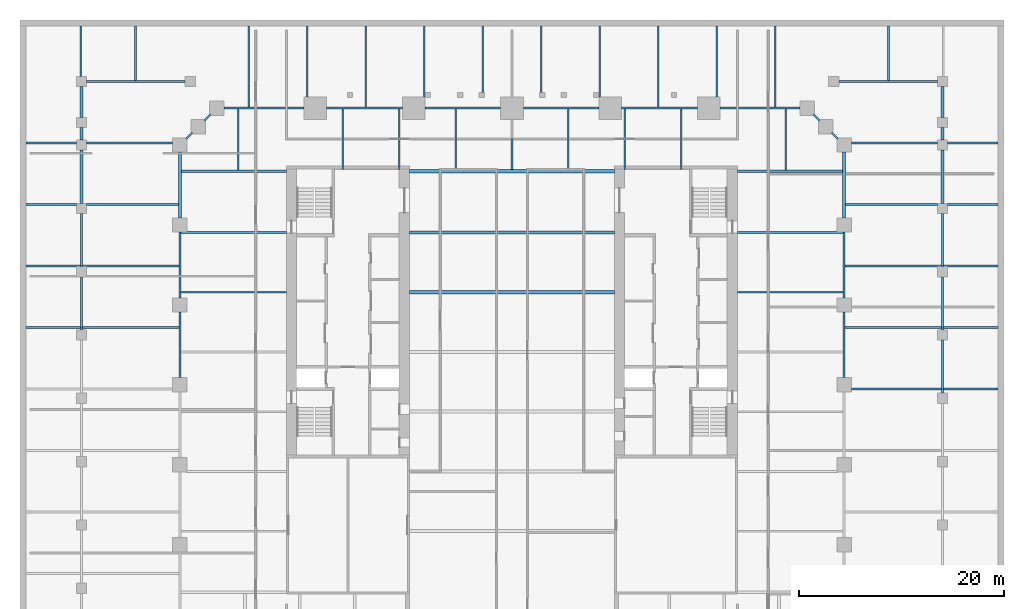
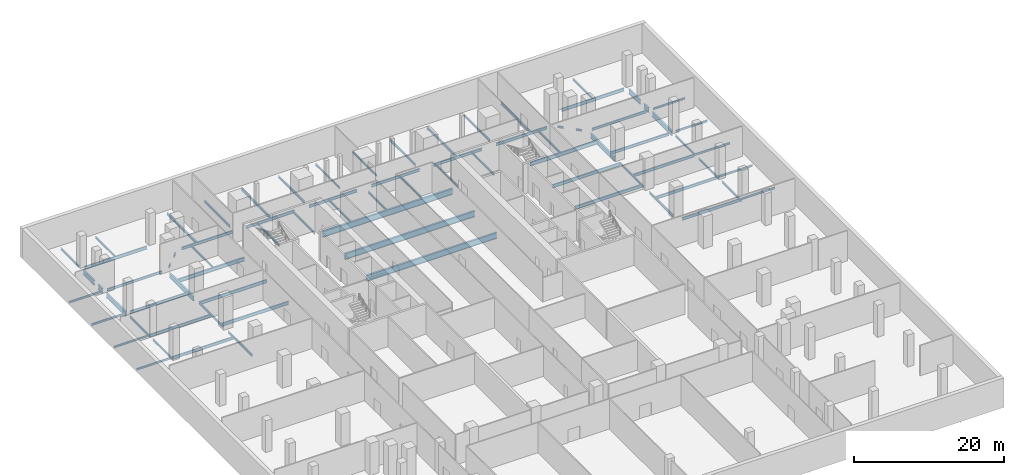
# One storey, part 3 of 15: 78 beams.
"""IFC4 building model written with IfcOpenShell, lengths in metres."""

import ifcopenshell
import ifcopenshell.guid

model = None  # the IFC model being written
_history = None  # IfcOwnerHistory: only IFC2X3 demands one
_inside = {}  # id of a spatial element -> (the spatial element, [elements in it])
_under = {}  # id of a project, library or spatial element -> (it, [spatial elements below it])
_declared = {}  # id of a project -> (the project, [libraries it declares])
_typed = {}  # id of a type object -> (the type object, [elements of that type])
_made_of = {}  # id of a material, layer set ... -> (it, [elements and type objects made of it])


def new_model(schema):
    """Start an empty IFC model of exactly this schema.

    Asked for "IFC4X3", IfcOpenShell would pick the latest addendum, in which some entities
    have other attributes; the version numbers below select the first issue.
    IFC2X3 requires an IfcOwnerHistory on every rooted entity: one is made here for all.
    """
    global model, _history
    if schema == "IFC4X3":
        model = ifcopenshell.file(schema_version=(4, 3, 0, 0))
    else:
        model = ifcopenshell.file(schema=schema)
    _inside.clear()
    _under.clear()
    _declared.clear()
    _typed.clear()
    _made_of.clear()
    _history = None
    if model.schema == "IFC2X3":
        org = make("IfcOrganization", Name="unknown")
        user = make(
            "IfcPersonAndOrganization",
            ThePerson=make("IfcPerson", FamilyName="unknown"),
            TheOrganization=org,
        )
        app = make(
            "IfcApplication",
            ApplicationDeveloper=org,
            Version="unknown",
            ApplicationFullName="unknown",
            ApplicationIdentifier="unknown",
        )
        _history = make(
            "IfcOwnerHistory",
            OwningUser=user,
            OwningApplication=app,
            ChangeAction="ADDED",
            CreationDate=0,
        )
    return model


def make(cls, **values):
    """One entity of the class cls with the attributes given. An attribute that is None is left unset."""
    return model.create_entity(
        cls, **{name: value for name, value in values.items() if value is not None}
    )


def rooted(cls, **values):
    """An entity with a GlobalId (a new one), such as an element, a storey or a relation."""
    return make(cls, GlobalId=ifcopenshell.guid.new(), OwnerHistory=_history, **values)


def si_unit(unit_type, name, prefix=None):
    """IfcSIUnit, for example si_unit("LENGTHUNIT", "METRE", prefix="MILLI")."""
    return make("IfcSIUnit", UnitType=unit_type, Prefix=prefix, Name=name)


def assignment(units):
    """IfcUnitAssignment: the units of a project."""
    return None if units is None else make("IfcUnitAssignment", Units=units)


def point(xyz):
    """IfcCartesianPoint."""
    return None if xyz is None else make("IfcCartesianPoint", Coordinates=xyz)


def direction(xyz):
    """IfcDirection."""
    return None if xyz is None else make("IfcDirection", DirectionRatios=xyz)


def frame(location, z_axis=None, x_axis=None):
    """IfcAxis2Placement3D, a coordinate frame: its origin and axes. An axis left out is left unset."""
    return make(
        "IfcAxis2Placement3D",
        Location=point(location),
        Axis=direction(z_axis),
        RefDirection=direction(x_axis),
    )


def frame_2d(location, x_axis=None):
    """IfcAxis2Placement2D, a coordinate frame in the plane: its origin and x axis."""
    return make(
        "IfcAxis2Placement2D", Location=point(location), RefDirection=direction(x_axis)
    )


def origin():
    """The frame at (0, 0, 0) with its axes left unset."""
    return frame((0.0, 0.0, 0.0))


def origin_2d():
    """The frame at (0, 0) in the plane with its x axis left unset."""
    return frame_2d((0.0, 0.0))


def place(relative_to, where):
    """IfcLocalPlacement: puts the frame where relative to a parent placement (None: the world)."""
    return make(
        "IfcLocalPlacement", PlacementRelTo=relative_to, RelativePlacement=where
    )


def context(
    kind, dimensions, precision=None, world=None, true_north=None, identifier=None
):
    """IfcGeometricRepresentationContext, for example the 3D "Model" context."""
    return make(
        "IfcGeometricRepresentationContext",
        ContextIdentifier=identifier,
        ContextType=kind,
        CoordinateSpaceDimension=dimensions,
        Precision=precision,
        WorldCoordinateSystem=world,
        TrueNorth=true_north,
    )


def subcontext(parent, identifier, kind, view, scale=None):
    """IfcGeometricRepresentationSubContext, for example "Body" below "Model"."""
    return make(
        "IfcGeometricRepresentationSubContext",
        ContextIdentifier=identifier,
        ContextType=kind,
        ParentContext=parent,
        TargetScale=scale,
        TargetView=view,
    )


def project(units=None, contexts=None):
    """IfcProject with its units and contexts."""
    return rooted(
        "IfcProject",
        Name="project",
        RepresentationContexts=contexts,
        UnitsInContext=assignment(units),
    )


def spatial(cls, under=None, at=None, **own):
    """A site, building, storey or space (cls), placed at a placement, below another one or the project."""
    s = rooted(cls, ObjectPlacement=at, **own)
    if under is not None:
        _under.setdefault(under.id(), (under, []))[1].append(s)
    return s


def profile(cls, at=None, kind="AREA", **sizes):
    """A parametric profile (cls). Its sizes go by their IFC names, for example OverallWidth=200.0."""
    return make(cls, ProfileType=kind, Position=at, **sizes)


def i_section(**sizes):
    """IfcIShapeProfileDef."""
    return profile("IfcIShapeProfileDef", **sizes)


def extrude(swept, where, along, depth):
    """IfcExtrudedAreaSolid: the profile swept, set in the frame where, extruded along a direction by depth."""
    return make(
        "IfcExtrudedAreaSolid",
        SweptArea=swept,
        Position=where,
        ExtrudedDirection=direction(along),
        Depth=depth,
    )


def shape(context_of_items, identifier, shape_type, items):
    """IfcShapeRepresentation: the items that make up one representation, for example the "Body"."""
    return make(
        "IfcShapeRepresentation",
        ContextOfItems=context_of_items,
        RepresentationIdentifier=identifier,
        RepresentationType=shape_type,
        Items=items,
    )


def material(Name=None, Category=None):
    """IfcMaterial."""
    return make("IfcMaterial", Name=Name, Category=Category)


def material_profile(
    of_material, cross_section, Name=None, Category=None, Priority=None
):
    """IfcMaterialProfile: a cross section and its material."""
    return make(
        "IfcMaterialProfile",
        Name=Name,
        Material=of_material,
        Profile=cross_section,
        Priority=Priority,
        Category=Category,
    )


def profile_set(profiles, Name=None, composite=None):
    """IfcMaterialProfileSet."""
    return make(
        "IfcMaterialProfileSet",
        Name=Name,
        MaterialProfiles=profiles,
        CompositeProfile=composite,
    )


def made_of(thing, what):
    """Note that an element or type object is made of a material, layer set ...; save() writes the relation."""
    if what is not None:
        _made_of.setdefault(what.id(), (what, []))[1].append(thing)
    return thing


def type_object(cls, material=None, **own):
    """A type object (cls), such as IfcWallType, which elements share."""
    return made_of(rooted(cls, **own), material)


def element(
    cls,
    number,
    at=None,
    inside=None,
    cuts=None,
    type_object=None,
    material=None,
    context=None,
    identifier="Body",
    shape_type=None,
    held_by="IfcProductDefinitionShape",
    body=None,
    shapes=None,
    **own,
):
    """One element of the class cls, such as IfcWall. Its Tag is "e" and its number.

    at: its placement. inside: the storey or other place that contains it. cuts: it is an
    opening in that element (IfcRelVoidsElement). A single representation is given by context,
    identifier, shape_type and body (its items); several are given by shapes. held_by: the class
    of the entity that holds the representations. save() writes the other relations.
    """
    e = rooted(cls, Tag="e%d" % number, ObjectPlacement=at, **own)
    if body is not None:
        shapes = [shape(context, identifier, shape_type, body)]
    if shapes is not None:
        e.Representation = make(held_by, Representations=shapes)
    if inside is not None:
        _inside.setdefault(inside.id(), (inside, []))[1].append(e)
    if cuts is not None:
        rooted(
            "IfcRelVoidsElement", RelatingBuildingElement=cuts, RelatedOpeningElement=e
        )
    if type_object is not None:
        _typed.setdefault(type_object.id(), (type_object, []))[1].append(e)
    return made_of(e, material)


def aggregate(whole, parts):
    """IfcRelAggregates: a whole, such as a stair, and the parts it consists of."""
    return rooted("IfcRelAggregates", RelatingObject=whole, RelatedObjects=parts)


def save(model, path):
    """Write the relations noted so far, then the file.

    IfcRelAggregates (storeys below a building ...), IfcRelContainedInSpatialStructure (elements
    in a storey), IfcRelDefinesByType, IfcRelAssociatesMaterial and IfcRelDeclares: one each for
    every whole, place, type object, material and project.
    """
    for whole, parts in _under.values():
        aggregate(whole, parts)
    for where, things in _inside.values():
        rooted(
            "IfcRelContainedInSpatialStructure",
            RelatedElements=things,
            RelatingStructure=where,
        )
    for kind, things in _typed.values():
        rooted("IfcRelDefinesByType", RelatedObjects=things, RelatingType=kind)
    for what, things in _made_of.values():
        rooted("IfcRelAssociatesMaterial", RelatedObjects=things, RelatingMaterial=what)
    for by, libraries in _declared.values():
        rooted("IfcRelDeclares", RelatingContext=by, RelatedDefinitions=libraries)
    model.write(path)


model = new_model("IFC4")

# Units and contexts
model_context = context("Model", 3, precision=1e-05, world=origin(), true_north=direction((0.0, 1.0)))
body_context = subcontext(model_context, "Body", "Model", "MODEL_VIEW")
ifc_project = project(units=[si_unit("LENGTHUNIT", "METRE"), si_unit("AREAUNIT", "SQUARE_METRE"), si_unit("VOLUMEUNIT", "CUBIC_METRE"), si_unit("PLANEANGLEUNIT", "RADIAN"), si_unit("MASSUNIT", "GRAM", prefix="KILO")], contexts=[model_context])

# Site, building, storey
site_placement = place(None, origin())
site = spatial("IfcSite", under=ifc_project, at=site_placement, CompositionType="ELEMENT")
building_placement = place(site_placement, origin())
building = spatial("IfcBuilding", under=site, at=building_placement, Name="Ogive Exchange Tower", CompositionType="ELEMENT")
storey_placement = place(building_placement, frame((0.0, 0.0, -5.199951171875)))
storey = spatial("IfcBuildingStorey", under=building, at=storey_placement, Name="B1", CompositionType="ELEMENT", Elevation=-5.199951171875)

# Beams
ifc_material = material(Name="Steel ASTM A992 Gr50", Category="steel")
ifc_material_profile_1 = material_profile(ifc_material, i_section(OverallWidth=0.300048828125, OverallDepth=0.969970703125, WebThickness=0.01611328125, FlangeThickness=0.02099609375, at=origin_2d()), Name="W1000x222")
ifc_profile_set_1 = profile_set([ifc_material_profile_1], Name="Steel ASTM A992 Gr50")
beam_type_1 = type_object("IfcBeamType", Name="Floor beam W1000x222", PredefinedType="JOIST", material=ifc_profile_set_1)
for number, where, z_axis, x_axis, name in (
    (1, (-10.0, 13.438720703125, -0.78515625), (1.0, 0.0, 0.0), (0.0, 1.0, 0.0), "Floor beam"),
    (2, (-10.0, 19.264404296875, -0.78515625), (1.0, 0.0, 0.0), (0.0, 1.0, 0.0), "Floor beam"),
):
    element("IfcBeam", number, at=place(storey_placement, frame(where, z_axis=z_axis, x_axis=x_axis)), inside=storey, type_object=beam_type_1, Name=name, PredefinedType="JOIST", context=body_context, shape_type="SweptSolid", body=[
        extrude(i_section(OverallWidth=0.300048828125, OverallDepth=0.969970703125, WebThickness=0.01611328125, FlangeThickness=0.02099609375, at=origin_2d()), origin(), (0.0, 0.0, 1.0), 20.0),
    ])
ifc_material_profile_2 = material_profile(ifc_material, i_section(OverallWidth=0.1650390625, OverallDepth=0.31005859375, WebThickness=0.005859375, FlangeThickness=0.009765625, at=origin_2d()), Name="W310x38.7")
ifc_profile_set_2 = profile_set([ifc_material_profile_2], Name="Steel ASTM A992 Gr50")
beam_type_2 = type_object("IfcBeamType", Name="Floor beam W310x38.7", PredefinedType="JOIST", material=ifc_profile_set_2)
for number, where, z_axis, x_axis, name in (
    (3, (-16.5, 25.39990234375, -0.455078125), (0.0, 1.0, 0.0), (-1.0, 0.0, 0.0), "Floor beam"),
    (4, (-11.0, 25.39990234375, -0.455078125), (0.0, 1.0, 0.0), (-1.0, 0.0, 0.0), "Floor beam"),
):
    element("IfcBeam", number, at=place(storey_placement, frame(where, z_axis=z_axis, x_axis=x_axis)), inside=storey, type_object=beam_type_2, Name=name, PredefinedType="JOIST", context=body_context, shape_type="SweptSolid", body=[
        extrude(i_section(OverallWidth=0.1650390625, OverallDepth=0.31005859375, WebThickness=0.005859375, FlangeThickness=0.009765625, at=origin_2d()), origin(), (0.0, 0.0, 1.0), 5.904541015625),
    ])
beam_1_placement = place(storey_placement, frame((-5.5, 25.39501953125, -0.455078125), z_axis=(0.0, 1.0, 0.0), x_axis=(-1.0, 0.0, 0.0)))
element("IfcBeam", 5, at=beam_1_placement, inside=storey, type_object=beam_type_2, Name="Floor beam", PredefinedType="JOIST", context=body_context, shape_type="SweptSolid", body=[
    extrude(i_section(OverallWidth=0.1650390625, OverallDepth=0.31005859375, WebThickness=0.005859375, FlangeThickness=0.009765625, at=origin_2d()), origin(), (0.0, 0.0, 1.0), 5.909423828125),
])
beam_2_placement = place(storey_placement, frame((0.0, 25.39501953125, -0.455078125), z_axis=(0.0, 1.0, 0.0), x_axis=(-1.0, 0.0, 0.0)))
element("IfcBeam", 6, at=beam_2_placement, inside=storey, type_object=beam_type_2, Name="Floor beam", PredefinedType="JOIST", context=body_context, shape_type="SweptSolid", body=[
    extrude(i_section(OverallWidth=0.1650390625, OverallDepth=0.31005859375, WebThickness=0.005859375, FlangeThickness=0.009765625, at=origin_2d()), origin(), (0.0, 0.0, 1.0), 4.905029296875),
])
beam_3_placement = place(storey_placement, frame((5.5, 25.39501953125, -0.455078125), z_axis=(0.0, 1.0, 0.0), x_axis=(-1.0, 0.0, 0.0)))
element("IfcBeam", 7, at=beam_3_placement, inside=storey, type_object=beam_type_2, Name="Floor beam", PredefinedType="JOIST", context=body_context, shape_type="SweptSolid", body=[
    extrude(i_section(OverallWidth=0.1650390625, OverallDepth=0.31005859375, WebThickness=0.005859375, FlangeThickness=0.009765625, at=origin_2d()), origin(), (0.0, 0.0, 1.0), 5.909423828125),
])
for number, where, z_axis, x_axis, name in (
    (8, (11.0, 25.39990234375, -0.455078125), (0.0, 1.0, 0.0), (-1.0, 0.0, 0.0), "Floor beam"),
    (9, (16.5, 25.39990234375, -0.455078125), (0.0, 1.0, 0.0), (-1.0, 0.0, 0.0), "Floor beam"),
):
    element("IfcBeam", number, at=place(storey_placement, frame(where, z_axis=z_axis, x_axis=x_axis)), inside=storey, type_object=beam_type_2, Name=name, PredefinedType="JOIST", context=body_context, shape_type="SweptSolid", body=[
        extrude(i_section(OverallWidth=0.1650390625, OverallDepth=0.31005859375, WebThickness=0.005859375, FlangeThickness=0.009765625, at=origin_2d()), origin(), (0.0, 0.0, 1.0), 5.904541015625),
    ])
for number, where, z_axis, x_axis, name in (
    (10, (26.699951171875, 25.35888671875, -0.455078125), (0.0, 1.0, 0.0), (-1.0, 0.0, 0.0), "Floor beam"),
    (11, (-26.699951171875, 25.35888671875, -0.455078125), (0.0, 1.0, 0.0), (-1.0, 0.0, 0.0), "Floor beam"),
):
    element("IfcBeam", number, at=place(storey_placement, frame(where, z_axis=z_axis, x_axis=x_axis)), inside=storey, type_object=beam_type_2, Name=name, PredefinedType="JOIST", context=body_context, shape_type="SweptSolid", body=[
        extrude(i_section(OverallWidth=0.1650390625, OverallDepth=0.31005859375, WebThickness=0.005859375, FlangeThickness=0.009765625, at=origin_2d()), origin(), (0.0, 0.0, 1.0), 5.945556640625),
    ])
for number, where, z_axis, x_axis, name in (
    (12, (42.08251953125, 4.0, -0.455078125), (1.0, 0.0, 0.0), (0.0, 1.0, 0.0), "Floor beam"),
    (13, (42.08251953125, 10.0, -0.455078125), (1.0, 0.0, 0.0), (0.0, 1.0, 0.0), "Floor beam"),
    (14, (42.08251953125, 16.0, -0.455078125), (1.0, 0.0, 0.0), (0.0, 1.0, 0.0), "Floor beam"),
):
    element("IfcBeam", number, at=place(storey_placement, frame(where, z_axis=z_axis, x_axis=x_axis)), inside=storey, type_object=beam_type_2, Name=name, PredefinedType="JOIST", context=body_context, shape_type="SweptSolid", body=[
        extrude(i_section(OverallWidth=0.1650390625, OverallDepth=0.31005859375, WebThickness=0.005859375, FlangeThickness=0.009765625, at=origin_2d()), origin(), (0.0, 0.0, 1.0), 5.3173828125),
    ])
for number, where, z_axis, x_axis, name in (
    (15, (42.5, 22.0, -0.455078125), (1.0, 0.0, 0.0), (0.0, 1.0, 0.0), "Floor beam"),
    (16, (42.5, 28.0, -0.455078125), (1.0, 0.0, 0.0), (0.0, 1.0, 0.0), "Floor beam"),
):
    element("IfcBeam", number, at=place(storey_placement, frame(where, z_axis=z_axis, x_axis=x_axis)), inside=storey, type_object=beam_type_2, Name=name, PredefinedType="JOIST", context=body_context, shape_type="SweptSolid", body=[
        extrude(i_section(OverallWidth=0.1650390625, OverallDepth=0.31005859375, WebThickness=0.005859375, FlangeThickness=0.009765625, at=origin_2d()), origin(), (0.0, 0.0, 1.0), 4.89990234375),
    ])
beam_4_placement = place(storey_placement, frame((36.7333984375, 34.08349609375, -0.455078125), z_axis=(0.0, 1.0, 0.0), x_axis=(-1.0, 0.0, 0.0)))
element("IfcBeam", 17, at=beam_4_placement, inside=storey, type_object=beam_type_2, Name="Floor beam", PredefinedType="JOIST", context=body_context, shape_type="SweptSolid", body=[
    extrude(i_section(OverallWidth=0.1650390625, OverallDepth=0.31005859375, WebThickness=0.005859375, FlangeThickness=0.009765625, at=origin_2d()), origin(), (0.0, 0.0, 1.0), 5.31640625),
])
for number, where, z_axis, x_axis, name in (
    (18, (-47.39990234375, 10.0, -0.455078125), (1.0, 0.0, 0.0), (0.0, 1.0, 0.0), "Floor beam"),
    (19, (-47.39990234375, 16.0, -0.455078125), (1.0, 0.0, 0.0), (0.0, 1.0, 0.0), "Floor beam"),
):
    element("IfcBeam", number, at=place(storey_placement, frame(where, z_axis=z_axis, x_axis=x_axis)), inside=storey, type_object=beam_type_2, Name=name, PredefinedType="JOIST", context=body_context, shape_type="SweptSolid", body=[
        extrude(i_section(OverallWidth=0.1650390625, OverallDepth=0.31005859375, WebThickness=0.005859375, FlangeThickness=0.009765625, at=origin_2d()), origin(), (0.0, 0.0, 1.0), 5.3173828125),
    ])
for number, where, z_axis, x_axis, name in (
    (20, (-47.39990234375, 22.0, -0.455078125), (1.0, 0.0, 0.0), (0.0, 1.0, 0.0), "Floor beam"),
    (21, (-47.39990234375, 28.0, -0.455078125), (1.0, 0.0, 0.0), (0.0, 1.0, 0.0), "Floor beam"),
    (22, (-42.066650390625, 34.5, -0.455078125), (0.0, 1.0, 0.0), (-1.0, 0.0, 0.0), "Floor beam"),
):
    element("IfcBeam", number, at=place(storey_placement, frame(where, z_axis=z_axis, x_axis=x_axis)), inside=storey, type_object=beam_type_2, Name=name, PredefinedType="JOIST", context=body_context, shape_type="SweptSolid", body=[
        extrude(i_section(OverallWidth=0.1650390625, OverallDepth=0.31005859375, WebThickness=0.005859375, FlangeThickness=0.009765625, at=origin_2d()), origin(), (0.0, 0.0, 1.0), 4.89990234375),
    ])
beam_5_placement = place(storey_placement, frame((-36.7333984375, 34.08349609375, -0.455078125), z_axis=(0.0, 1.0, 0.0), x_axis=(-1.0, 0.0, 0.0)))
element("IfcBeam", 23, at=beam_5_placement, inside=storey, type_object=beam_type_2, Name="Floor beam", PredefinedType="JOIST", context=body_context, shape_type="SweptSolid", body=[
    extrude(i_section(OverallWidth=0.1650390625, OverallDepth=0.31005859375, WebThickness=0.005859375, FlangeThickness=0.009765625, at=origin_2d()), origin(), (0.0, 0.0, 1.0), 5.31640625),
])
for number, where, z_axis, x_axis, name in (
    (24, (-2.8544921875, 32.949951171875, -0.455078125), (0.0, 1.0, 0.0), (-1.0, 0.0, 0.0), "Floor beam"),
    (25, (2.8544921875, 32.949951171875, -0.455078125), (0.0, 1.0, 0.0), (-1.0, 0.0, 0.0), "Floor beam"),
):
    element("IfcBeam", number, at=place(storey_placement, frame(where, z_axis=z_axis, x_axis=x_axis)), inside=storey, type_object=beam_type_2, Name=name, PredefinedType="JOIST", context=body_context, shape_type="SweptSolid", body=[
        extrude(i_section(OverallWidth=0.1650390625, OverallDepth=0.31005859375, WebThickness=0.005859375, FlangeThickness=0.009765625, at=origin_2d()), origin(), (0.0, 0.0, 1.0), 6.449951171875),
    ])
ifc_material_profile_3 = material_profile(ifc_material, i_section(OverallWidth=0.1708984375, OverallDepth=0.35595703125, WebThickness=0.00732421875, FlangeThickness=0.01171875, at=origin_2d()), Name="W360x51")
ifc_profile_set_3 = profile_set([ifc_material_profile_3], Name="Steel ASTM A992 Gr50")
beam_type_3 = type_object("IfcBeamType", Name="Floor beam W360x51", PredefinedType="JOIST", material=ifc_profile_set_3)
for number, where, z_axis, x_axis, name in (
    (26, (-19.981689453125, 32.5, -0.47802734375), (0.0, 1.0, 0.0), (-1.0, 0.0, 0.0), "Floor beam"),
    (27, (-8.563720703125, 32.5, -0.47802734375), (0.0, 1.0, 0.0), (-1.0, 0.0, 0.0), "Floor beam"),
    (28, (8.563720703125, 32.5, -0.47802734375), (0.0, 1.0, 0.0), (-1.0, 0.0, 0.0), "Floor beam"),
    (29, (19.981689453125, 32.5, -0.47802734375), (0.0, 1.0, 0.0), (-1.0, 0.0, 0.0), "Floor beam"),
):
    element("IfcBeam", number, at=place(storey_placement, frame(where, z_axis=z_axis, x_axis=x_axis)), inside=storey, type_object=beam_type_3, Name=name, PredefinedType="JOIST", context=body_context, shape_type="SweptSolid", body=[
        extrude(i_section(OverallWidth=0.1708984375, OverallDepth=0.35595703125, WebThickness=0.00732421875, FlangeThickness=0.01171875, at=origin_2d()), origin(), (0.0, 0.0, 1.0), 6.89990234375),
    ])
ifc_material_profile_4 = material_profile(ifc_material, i_section(OverallWidth=0.177978515625, OverallDepth=0.406005859375, WebThickness=0.0078125, FlangeThickness=0.0126953125, at=origin_2d()), Name="W410x60")
ifc_profile_set_4 = profile_set([ifc_material_profile_4], Name="Steel ASTM A992 Gr50")
beam_type_4 = type_object("IfcBeamType", Name="Floor beam W410x60", PredefinedType="JOIST", material=ifc_profile_set_4)
for number, where, z_axis, x_axis, name in (
    (30, (33.10009765625, 28.0, -0.5029296875), (1.0, 0.0, 0.0), (0.0, 1.0, 0.0), "Floor beam"),
    (31, (-41.5, 28.0, -0.5029296875), (1.0, 0.0, 0.0), (0.0, 1.0, 0.0), "Floor beam"),
):
    element("IfcBeam", number, at=place(storey_placement, frame(where, z_axis=z_axis, x_axis=x_axis)), inside=storey, type_object=beam_type_4, Name=name, PredefinedType="JOIST", context=body_context, shape_type="SweptSolid", body=[
        extrude(i_section(OverallWidth=0.177978515625, OverallDepth=0.406005859375, WebThickness=0.0078125, FlangeThickness=0.0126953125, at=origin_2d()), origin(), (0.0, 0.0, 1.0), 8.39990234375),
    ])
for number, where, z_axis, x_axis, name in (
    (32, (-25.69091796875, 31.49560546875, -0.5029296875), (0.0, 1.0, 0.0), (-1.0, 0.0, 0.0), "Floor beam"),
    (33, (-14.272705078125, 31.49560546875, -0.5029296875), (0.0, 1.0, 0.0), (-1.0, 0.0, 0.0), "Floor beam"),
    (34, (14.272705078125, 31.49560546875, -0.5029296875), (0.0, 1.0, 0.0), (-1.0, 0.0, 0.0), "Floor beam"),
    (35, (25.69091796875, 31.49560546875, -0.5029296875), (0.0, 1.0, 0.0), (-1.0, 0.0, 0.0), "Floor beam"),
):
    element("IfcBeam", number, at=place(storey_placement, frame(where, z_axis=z_axis, x_axis=x_axis)), inside=storey, type_object=beam_type_4, Name=name, PredefinedType="JOIST", context=body_context, shape_type="SweptSolid", body=[
        extrude(i_section(OverallWidth=0.177978515625, OverallDepth=0.406005859375, WebThickness=0.0078125, FlangeThickness=0.0126953125, at=origin_2d()), origin(), (0.0, 0.0, 1.0), 7.904296875),
    ])
ifc_material_profile_5 = material_profile(ifc_material, i_section(OverallWidth=0.19091796875, OverallDepth=0.45703125, WebThickness=0.009033203125, FlangeThickness=0.014404296875, at=origin_2d()), Name="W460x74")
ifc_profile_set_5 = profile_set([ifc_material_profile_5], Name="Steel ASTM A992 Gr50")
beam_type_5 = type_object("IfcBeamType", Name="Floor beam W460x74", PredefinedType="JOIST", material=ifc_profile_set_5)
beam_6_placement = place(storey_placement, frame((33.10009765625, 4.0, -0.528564453125), z_axis=(1.0, 0.0, 0.0), x_axis=(0.0, 1.0, 0.0)))
element("IfcBeam", 36, at=beam_6_placement, inside=storey, type_object=beam_type_5, Name="Floor beam", PredefinedType="JOIST", context=body_context, shape_type="SweptSolid", body=[
    extrude(i_section(OverallWidth=0.19091796875, OverallDepth=0.45703125, WebThickness=0.009033203125, FlangeThickness=0.014404296875, at=origin_2d()), origin(), (0.0, 0.0, 1.0), 8.8173828125),
])
for number, where, z_axis, x_axis, name in (
    (37, (32.485595703125, 10.0, -0.528564453125), (1.0, 0.0, 0.0), (0.0, 1.0, 0.0), "Floor beam"),
    (38, (32.485595703125, 16.0, -0.528564453125), (1.0, 0.0, 0.0), (0.0, 1.0, 0.0), "Floor beam"),
):
    element("IfcBeam", number, at=place(storey_placement, frame(where, z_axis=z_axis, x_axis=x_axis)), inside=storey, type_object=beam_type_5, Name=name, PredefinedType="JOIST", context=body_context, shape_type="SweptSolid", body=[
        extrude(i_section(OverallWidth=0.19091796875, OverallDepth=0.45703125, WebThickness=0.009033203125, FlangeThickness=0.014404296875, at=origin_2d()), origin(), (0.0, 0.0, 1.0), 9.431884765625),
    ])
beam_7_placement = place(storey_placement, frame((32.533447265625, 22.0, -0.528564453125), z_axis=(1.0, 0.0, 0.0), x_axis=(0.0, 1.0, 0.0)))
element("IfcBeam", 39, at=beam_7_placement, inside=storey, type_object=beam_type_5, Name="Floor beam", PredefinedType="JOIST", context=body_context, shape_type="SweptSolid", body=[
    extrude(i_section(OverallWidth=0.19091796875, OverallDepth=0.45703125, WebThickness=0.009033203125, FlangeThickness=0.014404296875, at=origin_2d()), origin(), (0.0, 0.0, 1.0), 8.966552734375),
])
for number, where, z_axis, x_axis, name in (
    (40, (-41.91748046875, 10.0, -0.528564453125), (1.0, 0.0, 0.0), (0.0, 1.0, 0.0), "Floor beam"),
    (41, (-41.91748046875, 16.0, -0.528564453125), (1.0, 0.0, 0.0), (0.0, 1.0, 0.0), "Floor beam"),
):
    element("IfcBeam", number, at=place(storey_placement, frame(where, z_axis=z_axis, x_axis=x_axis)), inside=storey, type_object=beam_type_5, Name=name, PredefinedType="JOIST", context=body_context, shape_type="SweptSolid", body=[
        extrude(i_section(OverallWidth=0.19091796875, OverallDepth=0.45703125, WebThickness=0.009033203125, FlangeThickness=0.014404296875, at=origin_2d()), origin(), (0.0, 0.0, 1.0), 9.431884765625),
    ])
beam_8_placement = place(storey_placement, frame((-41.5, 22.0, -0.528564453125), z_axis=(1.0, 0.0, 0.0), x_axis=(0.0, 1.0, 0.0)))
element("IfcBeam", 42, at=beam_8_placement, inside=storey, type_object=beam_type_5, Name="Floor beam", PredefinedType="JOIST", context=body_context, shape_type="SweptSolid", body=[
    extrude(i_section(OverallWidth=0.19091796875, OverallDepth=0.45703125, WebThickness=0.009033203125, FlangeThickness=0.014404296875, at=origin_2d()), origin(), (0.0, 0.0, 1.0), 8.966552734375),
])
ifc_material_profile_6 = material_profile(ifc_material, i_section(OverallWidth=0.1669921875, OverallDepth=0.535888671875, WebThickness=0.01025390625, FlangeThickness=0.0166015625, at=origin_2d()), Name="W530x85")
ifc_profile_set_6 = profile_set([ifc_material_profile_6], Name="Steel ASTM A992 Gr50")
beam_type_6 = type_object("IfcBeamType", Name="Floor beam W530x85", PredefinedType="JOIST", material=ifc_profile_set_6)
for number, where, z_axis, x_axis, name in (
    (43, (-32.344970703125, 13.438720703125, -0.568115234375), (1.0, 0.0, 0.0), (0.0, 1.0, 0.0), "Floor beam"),
    (44, (22.0, 13.438720703125, -0.568115234375), (1.0, 0.0, 0.0), (0.0, 1.0, 0.0), "Floor beam"),
    (45, (-32.344970703125, 19.264404296875, -0.568115234375), (1.0, 0.0, 0.0), (0.0, 1.0, 0.0), "Floor beam"),
    (46, (22.0, 19.264404296875, -0.568115234375), (1.0, 0.0, 0.0), (0.0, 1.0, 0.0), "Floor beam"),
):
    element("IfcBeam", number, at=place(storey_placement, frame(where, z_axis=z_axis, x_axis=x_axis)), inside=storey, type_object=beam_type_6, Name=name, PredefinedType="JOIST", context=body_context, shape_type="SweptSolid", body=[
        extrude(i_section(OverallWidth=0.1669921875, OverallDepth=0.535888671875, WebThickness=0.01025390625, FlangeThickness=0.0166015625, at=origin_2d()), origin(), (0.0, 0.0, 1.0), 10.344970703125),
    ])
ifc_material_profile_7 = material_profile(ifc_material, i_section(OverallWidth=0.300048828125, OverallDepth=0.97998046875, WebThickness=0.0166015625, FlangeThickness=0.026123046875, at=origin_2d()), Name="W1000x249")
ifc_profile_set_7 = profile_set([ifc_material_profile_7], Name="Steel ASTM A992 Gr50")
beam_type_7 = type_object("IfcBeamType", Name="Girder W1000x249", PredefinedType="BEAM", material=ifc_profile_set_7)
beam_9_placement = place(storey_placement, frame((-10.0, 25.2451171875, -0.7900390625), z_axis=(1.0, 0.0, 0.0), x_axis=(0.0, 1.0, 0.0)))
element("IfcBeam", 47, at=beam_9_placement, inside=storey, type_object=beam_type_7, Name="Header girder", PredefinedType="BEAM", context=body_context, shape_type="SweptSolid", body=[
    extrude(i_section(OverallWidth=0.300048828125, OverallDepth=0.97998046875, WebThickness=0.0166015625, FlangeThickness=0.026123046875, at=origin_2d()), origin(), (0.0, 0.0, 1.0), 20.0),
])
ifc_material_profile_8 = material_profile(ifc_material, i_section(OverallWidth=0.1650390625, OverallDepth=0.31005859375, WebThickness=0.005859375, FlangeThickness=0.009765625, at=origin_2d()), Name="W310x38.7")
ifc_profile_set_8 = profile_set([ifc_material_profile_8], Name="Steel ASTM A992 Gr50")
beam_type_8 = type_object("IfcBeamType", Name="Girder W310x38.7", PredefinedType="BEAM", material=ifc_profile_set_8)
for number, where, z_axis, x_axis, name in (
    (48, (31.805908203125, 28.39404296875, -0.455078125), (-0.706965712506, 0.707247821729, 0.0), (-0.707247821729, -0.706965712506, 0.0), "Girder"),
    (49, (30.006103515625, 30.194091796875, -0.455078125), (-0.707247821729, 0.706965712506, 0.0), (-0.706965712506, -0.707247821729, 0.0), "Girder"),
    (50, (-29.39404296875, 30.805908203125, -0.455078125), (-0.707247821729, -0.706965712506, 0.0), (0.706965712506, -0.707247821729, 0.0), "Girder"),
    (51, (-31.194091796875, 29.006103515625, -0.455078125), (-0.706965712506, -0.707247821729, 0.0), (0.707247821729, -0.706965712506, 0.0), "Girder"),
):
    element("IfcBeam", number, at=place(storey_placement, frame(where, z_axis=z_axis, x_axis=x_axis)), inside=storey, type_object=beam_type_8, Name=name, PredefinedType="BEAM", context=body_context, shape_type="SweptSolid", body=[
        extrude(i_section(OverallWidth=0.1650390625, OverallDepth=0.31005859375, WebThickness=0.005859375, FlangeThickness=0.009765625, at=origin_2d()), origin(), (0.0, 0.0, 1.0), 0.865478515625),
    ])
beam_10_placement = place(storey_placement, frame((42.0, 3.590087890625, -0.455078125), z_axis=(0.0, 1.0, 0.0), x_axis=(-1.0, 0.0, 0.0)))
element("IfcBeam", 52, at=beam_10_placement, inside=storey, type_object=beam_type_8, Name="Girder", PredefinedType="BEAM", context=body_context, shape_type="SweptSolid", body=[
    extrude(i_section(OverallWidth=0.1650390625, OverallDepth=0.31005859375, WebThickness=0.005859375, FlangeThickness=0.009765625, at=origin_2d()), origin(), (0.0, 0.0, 1.0), 5.179931640625),
])
beam_11_placement = place(storey_placement, frame((42.0, 9.77001953125, -0.455078125), z_axis=(0.0, 1.0, 0.0), x_axis=(-1.0, 0.0, 0.0)))
element("IfcBeam", 53, at=beam_11_placement, inside=storey, type_object=beam_type_8, Name="Girder", PredefinedType="BEAM", context=body_context, shape_type="SweptSolid", body=[
    extrude(i_section(OverallWidth=0.1650390625, OverallDepth=0.31005859375, WebThickness=0.005859375, FlangeThickness=0.009765625, at=origin_2d()), origin(), (0.0, 0.0, 1.0), 5.169921875),
])
beam_12_placement = place(storey_placement, frame((42.0, 15.93994140625, -0.455078125), z_axis=(0.0, 1.0, 0.0), x_axis=(-1.0, 0.0, 0.0)))
element("IfcBeam", 54, at=beam_12_placement, inside=storey, type_object=beam_type_8, Name="Girder", PredefinedType="BEAM", context=body_context, shape_type="SweptSolid", body=[
    extrude(i_section(OverallWidth=0.1650390625, OverallDepth=0.31005859375, WebThickness=0.005859375, FlangeThickness=0.009765625, at=origin_2d()), origin(), (0.0, 0.0, 1.0), 5.18017578125),
])
beam_13_placement = place(storey_placement, frame((-42.0, 9.77001953125, -0.455078125), z_axis=(0.0, 1.0, 0.0), x_axis=(-1.0, 0.0, 0.0)))
element("IfcBeam", 55, at=beam_13_placement, inside=storey, type_object=beam_type_8, Name="Girder", PredefinedType="BEAM", context=body_context, shape_type="SweptSolid", body=[
    extrude(i_section(OverallWidth=0.1650390625, OverallDepth=0.31005859375, WebThickness=0.005859375, FlangeThickness=0.009765625, at=origin_2d()), origin(), (0.0, 0.0, 1.0), 5.169921875),
])
beam_14_placement = place(storey_placement, frame((-42.0, 15.93994140625, -0.455078125), z_axis=(0.0, 1.0, 0.0), x_axis=(-1.0, 0.0, 0.0)))
element("IfcBeam", 56, at=beam_14_placement, inside=storey, type_object=beam_type_8, Name="Girder", PredefinedType="BEAM", context=body_context, shape_type="SweptSolid", body=[
    extrude(i_section(OverallWidth=0.1650390625, OverallDepth=0.31005859375, WebThickness=0.005859375, FlangeThickness=0.009765625, at=origin_2d()), origin(), (0.0, 0.0, 1.0), 5.18017578125),
])
ifc_material_profile_9 = material_profile(ifc_material, i_section(OverallWidth=0.1708984375, OverallDepth=0.35595703125, WebThickness=0.00732421875, FlangeThickness=0.01171875, at=origin_2d()), Name="W360x51")
ifc_profile_set_9 = profile_set([ifc_material_profile_9], Name="Steel ASTM A992 Gr50")
beam_type_9 = type_object("IfcBeamType", Name="Girder W360x51", PredefinedType="BEAM", material=ifc_profile_set_9)
beam_15_placement = place(storey_placement, frame((32.39990234375, 5.10009765625, -0.47802734375), z_axis=(0.0, 1.0, 0.0), x_axis=(-1.0, 0.0, 0.0)))
element("IfcBeam", 57, at=beam_15_placement, inside=storey, type_object=beam_type_9, Name="Girder", PredefinedType="BEAM", context=body_context, shape_type="SweptSolid", body=[
    extrude(i_section(OverallWidth=0.1708984375, OverallDepth=0.35595703125, WebThickness=0.00732421875, FlangeThickness=0.01171875, at=origin_2d()), origin(), (0.0, 0.0, 1.0), 6.39990234375),
])
for number, where, z_axis, x_axis, name in (
    (58, (32.39990234375, 12.89990234375, -0.47802734375), (0.0, 1.0, 0.0), (-1.0, 0.0, 0.0), "Girder"),
    (59, (-32.39990234375, 19.300048828125, -0.47802734375), (0.0, -1.0, 0.0), (1.0, 0.0, 0.0), "Girder"),
):
    element("IfcBeam", number, at=place(storey_placement, frame(where, z_axis=z_axis, x_axis=x_axis)), inside=storey, type_object=beam_type_9, Name=name, PredefinedType="BEAM", context=body_context, shape_type="SweptSolid", body=[
        extrude(i_section(OverallWidth=0.1708984375, OverallDepth=0.35595703125, WebThickness=0.00732421875, FlangeThickness=0.01171875, at=origin_2d()), origin(), (0.0, 0.0, 1.0), 6.400146484375),
    ])
beam_16_placement = place(storey_placement, frame((-32.39990234375, 11.5, -0.47802734375), z_axis=(0.0, -1.0, 0.0), x_axis=(1.0, 0.0, 0.0)))
element("IfcBeam", 60, at=beam_16_placement, inside=storey, type_object=beam_type_9, Name="Girder", PredefinedType="BEAM", context=body_context, shape_type="SweptSolid", body=[
    extrude(i_section(OverallWidth=0.1708984375, OverallDepth=0.35595703125, WebThickness=0.00732421875, FlangeThickness=0.01171875, at=origin_2d()), origin(), (0.0, 0.0, 1.0), 6.39990234375),
])
ifc_material_profile_10 = material_profile(ifc_material, i_section(OverallWidth=0.19091796875, OverallDepth=0.45703125, WebThickness=0.009033203125, FlangeThickness=0.014404296875, at=origin_2d()), Name="W460x74")
ifc_profile_set_10 = profile_set([ifc_material_profile_10], Name="Steel ASTM A992 Gr50")
beam_type_10 = type_object("IfcBeamType", Name="Girder W460x74", PredefinedType="BEAM", material=ifc_profile_set_10)
beam_17_placement = place(storey_placement, frame((28.10009765625, 31.39990234375, -0.528564453125), z_axis=(-1.0, 0.0, 0.0), x_axis=(0.0, -1.0, 0.0)))
element("IfcBeam", 61, at=beam_17_placement, inside=storey, type_object=beam_type_10, Name="Girder", PredefinedType="BEAM", context=body_context, shape_type="SweptSolid", body=[
    extrude(i_section(OverallWidth=0.19091796875, OverallDepth=0.45703125, WebThickness=0.009033203125, FlangeThickness=0.014404296875, at=origin_2d()), origin(), (0.0, 0.0, 1.0), 7.800048828125),
])
beam_18_placement = place(storey_placement, frame((18.10009765625, 31.39990234375, -0.528564453125), z_axis=(-1.0, 0.0, 0.0), x_axis=(0.0, -1.0, 0.0)))
element("IfcBeam", 62, at=beam_18_placement, inside=storey, type_object=beam_type_10, Name="Girder", PredefinedType="BEAM", context=body_context, shape_type="SweptSolid", body=[
    extrude(i_section(OverallWidth=0.19091796875, OverallDepth=0.45703125, WebThickness=0.009033203125, FlangeThickness=0.014404296875, at=origin_2d()), origin(), (0.0, 0.0, 1.0), 7.400146484375),
])
for number, where, z_axis, x_axis, name in (
    (63, (8.5, 31.39990234375, -0.528564453125), (-1.0, 0.0, 0.0), (0.0, -1.0, 0.0), "Girder"),
    (64, (-1.10009765625, 31.39990234375, -0.528564453125), (-1.0, 0.0, 0.0), (0.0, -1.0, 0.0), "Girder"),
):
    element("IfcBeam", number, at=place(storey_placement, frame(where, z_axis=z_axis, x_axis=x_axis)), inside=storey, type_object=beam_type_10, Name=name, PredefinedType="BEAM", context=body_context, shape_type="SweptSolid", body=[
        extrude(i_section(OverallWidth=0.19091796875, OverallDepth=0.45703125, WebThickness=0.009033203125, FlangeThickness=0.014404296875, at=origin_2d()), origin(), (0.0, 0.0, 1.0), 7.39990234375),
    ])
beam_19_placement = place(storey_placement, frame((-10.699951171875, 31.39990234375, -0.528564453125), z_axis=(-1.0, 0.0, 0.0), x_axis=(0.0, -1.0, 0.0)))
element("IfcBeam", 65, at=beam_19_placement, inside=storey, type_object=beam_type_10, Name="Girder", PredefinedType="BEAM", context=body_context, shape_type="SweptSolid", body=[
    extrude(i_section(OverallWidth=0.19091796875, OverallDepth=0.45703125, WebThickness=0.009033203125, FlangeThickness=0.014404296875, at=origin_2d()), origin(), (0.0, 0.0, 1.0), 7.400146484375),
])
beam_20_placement = place(storey_placement, frame((-20.300048828125, 31.39990234375, -0.528564453125), z_axis=(-1.0, 0.0, 0.0), x_axis=(0.0, -1.0, 0.0)))
element("IfcBeam", 66, at=beam_20_placement, inside=storey, type_object=beam_type_10, Name="Girder", PredefinedType="BEAM", context=body_context, shape_type="SweptSolid", body=[
    extrude(i_section(OverallWidth=0.19091796875, OverallDepth=0.45703125, WebThickness=0.009033203125, FlangeThickness=0.014404296875, at=origin_2d()), origin(), (0.0, 0.0, 1.0), 7.800048828125),
])
ifc_material_profile_11 = material_profile(ifc_material, i_section(OverallWidth=0.1669921875, OverallDepth=0.535888671875, WebThickness=0.01025390625, FlangeThickness=0.0166015625, at=origin_2d()), Name="W530x85")
ifc_profile_set_11 = profile_set([ifc_material_profile_11], Name="Steel ASTM A992 Gr50")
beam_type_11 = type_object("IfcBeamType", Name="Girder W530x85", PredefinedType="BEAM", material=ifc_profile_set_11)
for number, where, z_axis, x_axis, name in (
    (67, (31.89990234375, 34.0, -0.568115234375), (1.0, 0.0, 0.0), (0.0, 1.0, 0.0), "Girder"),
    (68, (-41.5, 34.0, -0.568115234375), (1.0, 0.0, 0.0), (0.0, 1.0, 0.0), "Girder"),
):
    element("IfcBeam", number, at=place(storey_placement, frame(where, z_axis=z_axis, x_axis=x_axis)), inside=storey, type_object=beam_type_11, Name=name, PredefinedType="BEAM", context=body_context, shape_type="SweptSolid", body=[
        extrude(i_section(OverallWidth=0.1669921875, OverallDepth=0.535888671875, WebThickness=0.01025390625, FlangeThickness=0.0166015625, at=origin_2d()), origin(), (0.0, 0.0, 1.0), 9.60009765625),
    ])
ifc_material_profile_12 = material_profile(ifc_material, i_section(OverallWidth=0.22802734375, OverallDepth=0.60205078125, WebThickness=0.010498046875, FlangeThickness=0.014892578125, at=origin_2d()), Name="W610x101")
ifc_profile_set_12 = profile_set([ifc_material_profile_12], Name="Steel ASTM A992 Gr50")
beam_type_12 = type_object("IfcBeamType", Name="Girder W610x101", PredefinedType="BEAM", material=ifc_profile_set_12)
for number, where, z_axis, x_axis, name in (
    (69, (22.0, 25.2451171875, -0.60107421875), (1.0, 0.0, 0.0), (0.0, 1.0, 0.0), "Header girder"),
    (70, (-22.0, 25.2451171875, -0.60107421875), (-1.0, 0.0, 0.0), (0.0, -1.0, 0.0), "Header girder"),
):
    element("IfcBeam", number, at=place(storey_placement, frame(where, z_axis=z_axis, x_axis=x_axis)), inside=storey, type_object=beam_type_12, Name=name, PredefinedType="BEAM", context=body_context, shape_type="SweptSolid", body=[
        extrude(i_section(OverallWidth=0.22802734375, OverallDepth=0.60205078125, WebThickness=0.010498046875, FlangeThickness=0.014892578125, at=origin_2d()), origin(), (0.0, 0.0, 1.0), 10.344970703125),
    ])
ifc_material_profile_13 = material_profile(ifc_material, i_section(OverallWidth=0.26708984375, OverallDepth=0.75390625, WebThickness=0.01318359375, FlangeThickness=0.01708984375, at=origin_2d()), Name="W760x147")
ifc_profile_set_13 = profile_set([ifc_material_profile_13], Name="Steel ASTM A992 Gr50")
beam_type_13 = type_object("IfcBeamType", Name="Girder W760x147", PredefinedType="BEAM", material=ifc_profile_set_13)
for number, where, z_axis, x_axis, name in (
    (71, (32.39990234375, 20.699951171875, -0.677001953125), (0.0, 1.0, 0.0), (-1.0, 0.0, 0.0), "Girder"),
    (72, (-32.39990234375, 27.10009765625, -0.677001953125), (0.0, -1.0, 0.0), (1.0, 0.0, 0.0), "Girder"),
):
    element("IfcBeam", number, at=place(storey_placement, frame(where, z_axis=z_axis, x_axis=x_axis)), inside=storey, type_object=beam_type_13, Name=name, PredefinedType="BEAM", context=body_context, shape_type="SweptSolid", body=[
        extrude(i_section(OverallWidth=0.26708984375, OverallDepth=0.75390625, WebThickness=0.01318359375, FlangeThickness=0.01708984375, at=origin_2d()), origin(), (0.0, 0.0, 1.0), 6.400146484375),
    ])
beam_21_placement = place(storey_placement, frame((42.0, 22.1201171875, -0.677001953125), z_axis=(0.0, 1.0, 0.0), x_axis=(-1.0, 0.0, 0.0)))
element("IfcBeam", 73, at=beam_21_placement, inside=storey, type_object=beam_type_13, Name="Girder", PredefinedType="BEAM", context=body_context, shape_type="SweptSolid", body=[
    extrude(i_section(OverallWidth=0.26708984375, OverallDepth=0.75390625, WebThickness=0.01318359375, FlangeThickness=0.01708984375, at=origin_2d()), origin(), (0.0, 0.0, 1.0), 5.179931640625),
])
beam_22_placement = place(storey_placement, frame((42.0, 28.300048828125, -0.677001953125), z_axis=(0.0, 1.0, 0.0), x_axis=(-1.0, 0.0, 0.0)))
element("IfcBeam", 74, at=beam_22_placement, inside=storey, type_object=beam_type_13, Name="Girder", PredefinedType="BEAM", context=body_context, shape_type="SweptSolid", body=[
    extrude(i_section(OverallWidth=0.26708984375, OverallDepth=0.75390625, WebThickness=0.01318359375, FlangeThickness=0.01708984375, at=origin_2d()), origin(), (0.0, 0.0, 1.0), 1.199951171875),
])
beam_23_placement = place(storey_placement, frame((42.0, 30.5, -0.677001953125), z_axis=(0.0, 1.0, 0.0), x_axis=(-1.0, 0.0, 0.0)))
element("IfcBeam", 75, at=beam_23_placement, inside=storey, type_object=beam_type_13, Name="Girder", PredefinedType="BEAM", context=body_context, shape_type="SweptSolid", body=[
    extrude(i_section(OverallWidth=0.26708984375, OverallDepth=0.75390625, WebThickness=0.01318359375, FlangeThickness=0.01708984375, at=origin_2d()), origin(), (0.0, 0.0, 1.0), 3.0),
])
beam_24_placement = place(storey_placement, frame((-42.0, 22.1201171875, -0.677001953125), z_axis=(0.0, 1.0, 0.0), x_axis=(-1.0, 0.0, 0.0)))
element("IfcBeam", 76, at=beam_24_placement, inside=storey, type_object=beam_type_13, Name="Girder", PredefinedType="BEAM", context=body_context, shape_type="SweptSolid", body=[
    extrude(i_section(OverallWidth=0.26708984375, OverallDepth=0.75390625, WebThickness=0.01318359375, FlangeThickness=0.01708984375, at=origin_2d()), origin(), (0.0, 0.0, 1.0), 5.179931640625),
])
beam_25_placement = place(storey_placement, frame((-42.0, 28.300048828125, -0.677001953125), z_axis=(0.0, 1.0, 0.0), x_axis=(-1.0, 0.0, 0.0)))
element("IfcBeam", 77, at=beam_25_placement, inside=storey, type_object=beam_type_13, Name="Girder", PredefinedType="BEAM", context=body_context, shape_type="SweptSolid", body=[
    extrude(i_section(OverallWidth=0.26708984375, OverallDepth=0.75390625, WebThickness=0.01318359375, FlangeThickness=0.01708984375, at=origin_2d()), origin(), (0.0, 0.0, 1.0), 1.199951171875),
])
beam_26_placement = place(storey_placement, frame((-42.0, 30.5, -0.677001953125), z_axis=(0.0, 1.0, 0.0), x_axis=(-1.0, 0.0, 0.0)))
element("IfcBeam", 78, at=beam_26_placement, inside=storey, type_object=beam_type_13, Name="Girder", PredefinedType="BEAM", context=body_context, shape_type="SweptSolid", body=[
    extrude(i_section(OverallWidth=0.26708984375, OverallDepth=0.75390625, WebThickness=0.01318359375, FlangeThickness=0.01708984375, at=origin_2d()), origin(), (0.0, 0.0, 1.0), 3.0),
])

save(model, "model.ifc")
